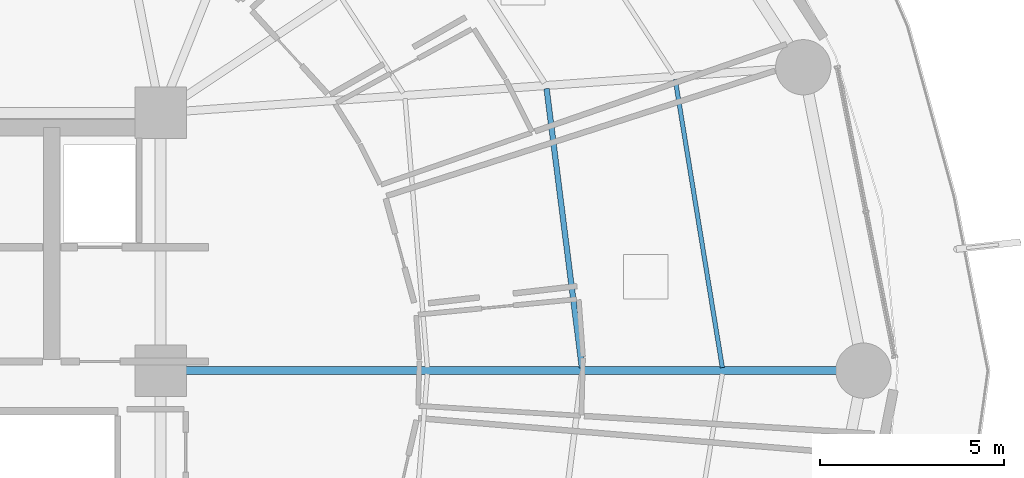
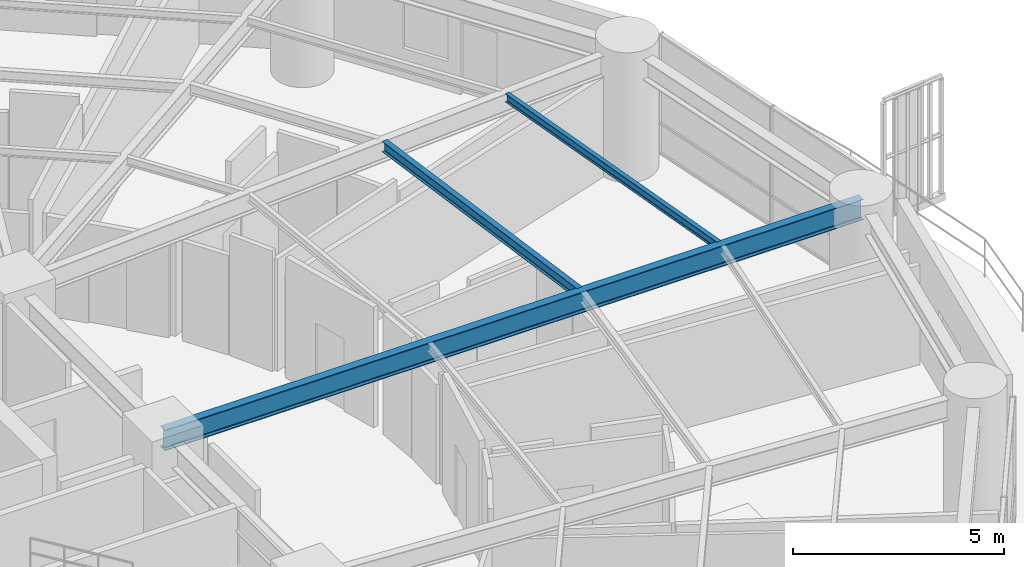
# One storey, part 13 of 32: 3 beams.
"""IFC4 building model written with IfcOpenShell, lengths in metres."""

from ifc_helpers import new_model, si_unit, direction, frame, origin, origin_2d, place, context, subcontext, project, spatial, i_section, extrude, material, material_profile, profile_set, type_object, element, save


model = new_model("IFC4")

# Units and contexts
model_context = context("Model", 3, precision=1e-05, world=origin(), true_north=direction((0.0, 1.0)))
body_context = subcontext(model_context, "Body", "Model", "MODEL_VIEW")
ifc_project = project(units=[si_unit("LENGTHUNIT", "METRE"), si_unit("AREAUNIT", "SQUARE_METRE"), si_unit("VOLUMEUNIT", "CUBIC_METRE"), si_unit("PLANEANGLEUNIT", "RADIAN"), si_unit("MASSUNIT", "GRAM", prefix="KILO")], contexts=[model_context])

# Site, building, storey
site_placement = place(None, origin())
site = spatial("IfcSite", under=ifc_project, at=site_placement, CompositionType="ELEMENT")
building_placement = place(site_placement, origin())
building = spatial("IfcBuilding", under=site, at=building_placement, Name="Kelanora Arch Commons", CompositionType="ELEMENT")
storey_placement = place(building_placement, frame((0.0, 0.0, 56.25)))
storey = spatial("IfcBuildingStorey", under=building, at=storey_placement, Name="L14", CompositionType="ELEMENT", Elevation=56.25)

# Beams
ifc_material = material(Name="Steel S355", Category="steel")
ifc_material_profile_1 = material_profile(ifc_material, i_section(OverallWidth=0.14990234375, OverallDepth=0.300048828125, WebThickness=0.007080078125, FlangeThickness=0.0107421875, FilletRadius=0.014892578125, at=origin_2d()), Name="IPE300")
ifc_profile_set_1 = profile_set([ifc_material_profile_1], Name="Steel S355")
beam_type_1 = type_object("IfcBeamType", Name="BM-JST-01", PredefinedType="JOIST", material=ifc_profile_set_1)
beam_1_placement = place(storey_placement, frame((93.437255859375, 58.084228515625, 3.340087890625), z_axis=(-0.125565841651, 0.992085288375, 0.0), x_axis=(-0.992085288375, -0.125565841651, 0.0)))
element("IfcBeam", 1, at=beam_1_placement, inside=storey, type_object=beam_type_1, Name="Secondary Chord Joist BJB-00 L14", PredefinedType="JOIST", context=body_context, shape_type="SweptSolid", body=[
    extrude(i_section(OverallWidth=0.14990234375, OverallDepth=0.300048828125, WebThickness=0.007080078125, FlangeThickness=0.0107421875, FilletRadius=0.014892578125, at=origin_2d()), origin(), (0.0, 0.0, 1.0), 7.63330078125),
])
ifc_material_profile_2 = material_profile(ifc_material, i_section(OverallWidth=0.1201171875, OverallDepth=0.239990234375, WebThickness=0.006103515625, FlangeThickness=0.009765625, FilletRadius=0.014892578125, at=origin_2d()), Name="IPE240")
ifc_profile_set_2 = profile_set([ifc_material_profile_2], Name="Steel S355")
beam_type_2 = type_object("IfcBeamType", Name="BM-JST-02", PredefinedType="JOIST", material=ifc_profile_set_2)
beam_2_placement = place(storey_placement, frame((97.250244140625, 58.083984375, 3.3701171875), z_axis=(-0.161400737199, 0.986888951216, 0.0), x_axis=(-0.986888951216, -0.161400737199, 0.0)))
element("IfcBeam", 2, at=beam_2_placement, inside=storey, type_object=beam_type_2, Name="Secondary Chord Joist BJC-00 L14", PredefinedType="JOIST", context=body_context, shape_type="SweptSolid", body=[
    extrude(i_section(OverallWidth=0.1201171875, OverallDepth=0.239990234375, WebThickness=0.006103515625, FlangeThickness=0.009765625, FilletRadius=0.014892578125, at=origin_2d()), origin(), (0.0, 0.0, 1.0), 7.9248046875),
])
ifc_material_profile_3 = material_profile(ifc_material, i_section(OverallWidth=0.219970703125, OverallDepth=0.60009765625, WebThickness=0.011962890625, FlangeThickness=0.01904296875, FilletRadius=0.02392578125, at=origin_2d()), Name="IPE600")
ifc_profile_set_3 = profile_set([ifc_material_profile_3], Name="Steel S355")
beam_type_3 = type_object("IfcBeamType", Name="BM-RAD-Z1", PredefinedType="BEAM", material=ifc_profile_set_3)
beam_3_placement = place(storey_placement, frame((82.0, 58.0, 3.18994140625), z_axis=(1.0, 0.0, 0.0), x_axis=(0.0, 1.0, 0.0)))
element("IfcBeam", 3, at=beam_3_placement, inside=storey, type_object=beam_type_3, Name="Radial Floor Girder BR-00 L14", PredefinedType="BEAM", context=body_context, shape_type="SweptSolid", body=[
    extrude(i_section(OverallWidth=0.219970703125, OverallDepth=0.60009765625, WebThickness=0.011962890625, FlangeThickness=0.01904296875, FilletRadius=0.02392578125, at=origin_2d()), origin(), (0.0, 0.0, 1.0), 19.080078125),
])

save(model, "model.ifc")
